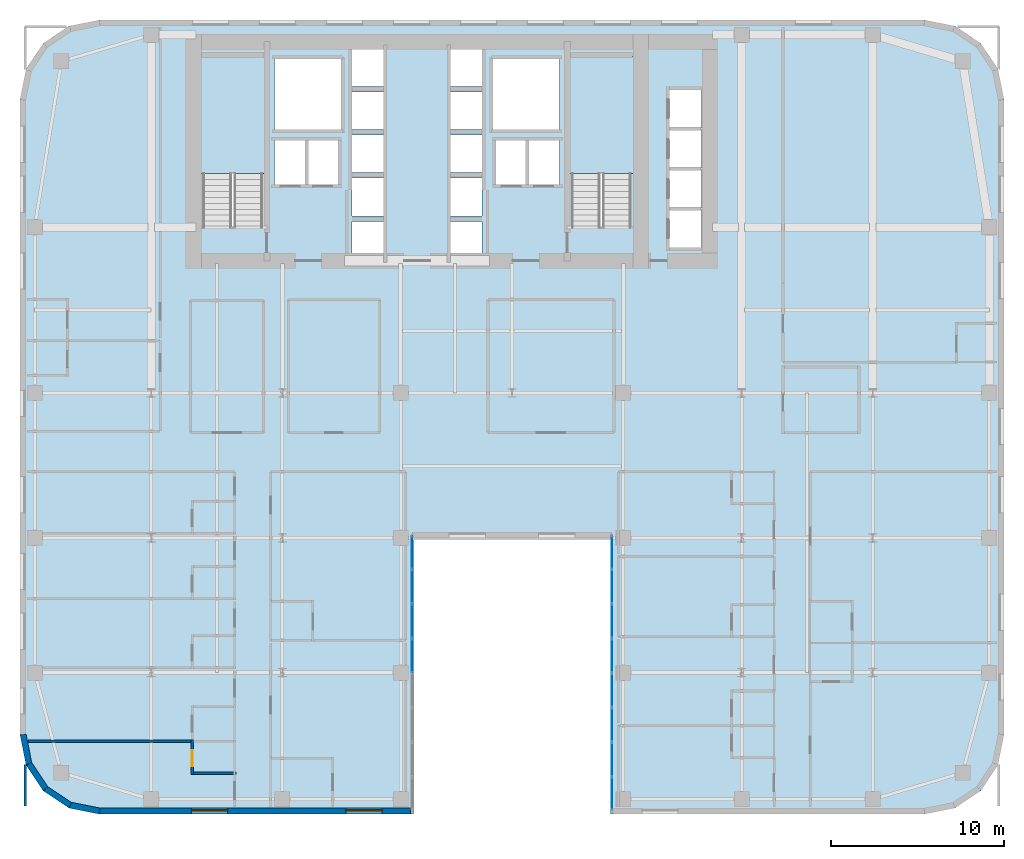
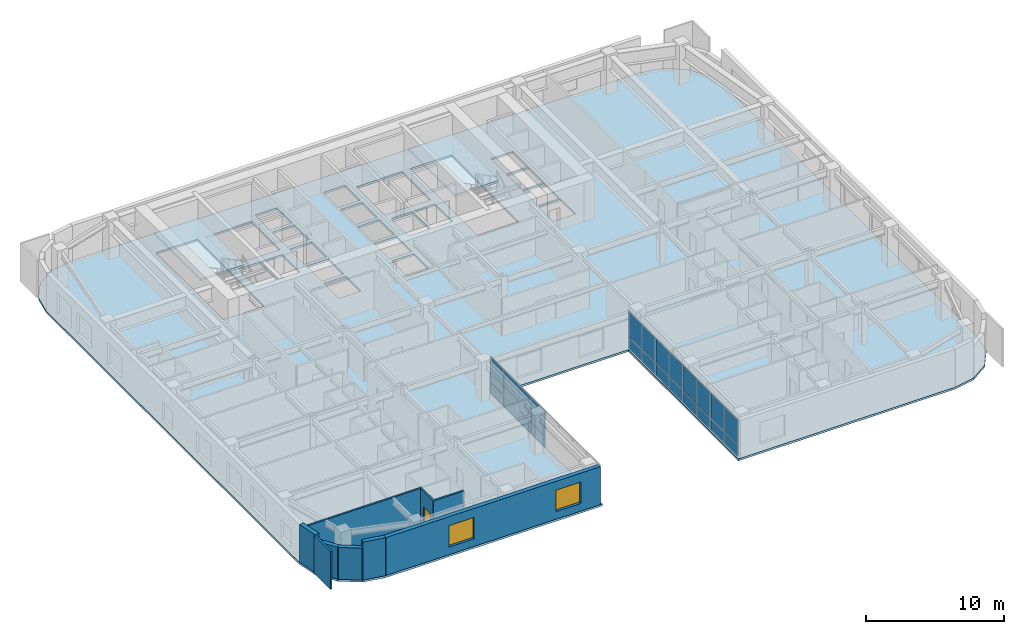
# One storey, part 9 of 16: 24 plates, 9 walls, 3 slabs, 2 windows, 1 door, 3 openings, 4 elements without a shape of their own.
"""IFC4 building model written with IfcOpenShell, lengths in metres."""

from ifc_helpers import new_model, si_unit, direction, frame, frame_2d, origin, origin_2d, place, context, subcontext, project, spatial, polyline, rectangle, outline, extrude, source, transform, mapped, material, layer, layer_set, type_object, type_shapes, element, fill, aggregate, save


model = new_model("IFC4")

# Units and contexts
model_context = context("Model", 3, precision=1e-05, world=origin(), true_north=direction((0.0, 1.0)))
body_context = subcontext(model_context, "Body", "Model", "MODEL_VIEW")
ifc_project = project(units=[si_unit("LENGTHUNIT", "METRE"), si_unit("AREAUNIT", "SQUARE_METRE"), si_unit("VOLUMEUNIT", "CUBIC_METRE"), si_unit("PLANEANGLEUNIT", "RADIAN"), si_unit("MASSUNIT", "GRAM", prefix="KILO")], contexts=[model_context])

# Site, building, storey
site_placement = place(None, origin())
site = spatial("IfcSite", under=ifc_project, at=site_placement, CompositionType="ELEMENT")
building_placement = place(site_placement, origin())
building = spatial("IfcBuilding", under=site, at=building_placement, Name="Tolvann Quenvar Hotel", CompositionType="ELEMENT")
storey_placement = place(building_placement, frame((0.0, 0.0, 85.25)))
storey = spatial("IfcBuildingStorey", under=building, at=storey_placement, Name="L21", CompositionType="ELEMENT", Elevation=85.25)

# Stair, slab
ifc_material_1 = material(Name="Concrete N40 (40 MPa)", Category="concrete")
stair_type = type_object("IfcStairType", Name="STAIR", PredefinedType="HALF_TURN_STAIR", material=ifc_material_1)
stair_1_placement = place(storey_placement, origin())
stair_1 = element("IfcStair", 1, at=stair_1_placement, inside=storey, type_object=stair_type, Name="L21 ST-C1", PredefinedType="HALF_TURN_STAIR")
ifc_layer_1 = layer(ifc_material_1, 0.199951171875)
ifc_layer_set_1 = layer_set([ifc_layer_1], Name="Concrete N40 (40 MPa)")
slab_type_1 = type_object("IfcSlabType", Name="SLAB_LANDING", PredefinedType="LANDING", material=ifc_layer_set_1)
slab_1_placement = place(storey_placement, frame((0.0, 0.0, 1.574951171875)))
slab_1 = element("IfcSlab", 2, at=slab_1_placement, type_object=slab_type_1, Name="ST-C1 landing 1", PredefinedType="LANDING", context=body_context, shape_type="SweptSolid", body=[
    extrude(outline(polyline([(14.179931640625, 37.10498046875), (14.179931640625, 43.8798828125), (10.469970703125, 43.8798828125), (10.469970703125, 37.10498046875), (14.179931640625, 37.10498046875)])), origin(), (0.0, 0.0, 1.0), 0.199951171875),
])
aggregate(stair_1, [slab_1])

stair_2_placement = place(storey_placement, origin())
stair_2 = element("IfcStair", 3, at=stair_2_placement, inside=storey, type_object=stair_type, Name="L21 ST-C2", PredefinedType="HALF_TURN_STAIR")
slab_2_placement = place(storey_placement, frame((0.0, 0.0, 1.574951171875)))
slab_2 = element("IfcSlab", 4, at=slab_2_placement, type_object=slab_type_1, Name="ST-C2 landing 1", PredefinedType="LANDING", context=body_context, shape_type="SweptSolid", body=[
    extrude(outline(polyline([(35.530029296875, 37.10498046875), (35.530029296875, 43.8798828125), (31.820068359375, 43.8798828125), (31.820068359375, 37.10498046875), (35.530029296875, 37.10498046875)])), origin(), (0.0, 0.0, 1.0), 0.199951171875),
])
aggregate(stair_2, [slab_2])

# Slab
ifc_layer_2 = layer(ifc_material_1, 0.179931640625)
ifc_layer_set_2 = layer_set([ifc_layer_2], Name="Concrete N40 (40 MPa)")
slab_type_2 = type_object("IfcSlabType", Name="SLAB_TWR_180", PredefinedType="FLOOR", material=ifc_layer_set_2)
slab_3_placement = place(storey_placement, frame((0.0, 0.0, -0.179931640625)))
element("IfcSlab", 5, at=slab_3_placement, inside=storey, type_object=slab_type_2, Name="Level L21 Structural Floor Slab", PredefinedType="FLOOR", context=body_context, shape_type="SweptSolid", body=[
    extrude(outline(polyline([(0.0, 4.60009765625), (0.35009765625, 2.839599609375), (1.347412109375, 1.347412109375), (2.839599609375, 0.35009765625), (4.60009765625, 0.0), (22.800048828125, 0.0), (22.800048828125, 16.0), (34.199951171875, 16.0), (34.199951171875, 0.0), (52.39990234375, 0.0), (54.160400390625, 0.35009765625), (55.652587890625, 1.347412109375), (56.64990234375, 2.839599609375), (57.0, 4.60009765625), (57.0, 41.39990234375), (56.64990234375, 43.160400390625), (55.652587890625, 44.652587890625), (54.160400390625, 45.64990234375), (52.39990234375, 46.0), (4.60009765625, 46.0), (2.839599609375, 45.64990234375), (1.347412109375, 44.652587890625), (0.35009765625, 43.160400390625), (0.0, 41.39990234375), (0.0, 4.60009765625)]), holes=[polyline([(37.6298828125, 41.949951171875), (39.469970703125, 41.949951171875), (39.469970703125, 39.77001953125), (37.6298828125, 39.77001953125), (37.6298828125, 41.949951171875)]), polyline([(37.6298828125, 39.6298828125), (39.469970703125, 39.6298828125), (39.469970703125, 37.449951171875), (37.6298828125, 37.449951171875), (37.6298828125, 39.6298828125)]), polyline([(37.6298828125, 37.31005859375), (39.469970703125, 37.31005859375), (39.469970703125, 35.1298828125), (37.6298828125, 35.1298828125), (37.6298828125, 37.31005859375)]), polyline([(37.6298828125, 34.989990234375), (39.469970703125, 34.989990234375), (39.469970703125, 32.81005859375), (37.6298828125, 32.81005859375), (37.6298828125, 34.989990234375)]), polyline([(31.949951171875, 43.800048828125), (35.39990234375, 43.800048828125), (35.39990234375, 34.02490234375), (31.949951171875, 34.02490234375), (31.949951171875, 43.800048828125)]), polyline([(31.25, 39.02001953125), (31.25, 36.47998046875), (29.449951171875, 36.47998046875), (29.449951171875, 39.02001953125), (31.25, 39.02001953125)]), polyline([(31.25, 43.75), (31.25, 39.64990234375), (27.39990234375, 39.64990234375), (27.39990234375, 43.75), (31.25, 43.75)]), polyline([(27.574951171875, 39.02001953125), (29.324951171875, 39.02001953125), (29.324951171875, 36.47998046875), (27.574951171875, 36.47998046875), (27.574951171875, 39.02001953125)]), polyline([(26.77001953125, 36.840087890625), (26.77001953125, 34.659912109375), (24.929931640625, 34.659912109375), (24.929931640625, 36.840087890625), (26.77001953125, 36.840087890625)]), polyline([(26.77001953125, 44.340087890625), (26.77001953125, 42.159912109375), (24.929931640625, 42.159912109375), (24.929931640625, 44.340087890625), (26.77001953125, 44.340087890625)]), polyline([(26.77001953125, 41.840087890625), (26.77001953125, 39.659912109375), (24.929931640625, 39.659912109375), (24.929931640625, 41.840087890625), (26.77001953125, 41.840087890625)]), polyline([(26.77001953125, 39.340087890625), (26.77001953125, 37.159912109375), (24.929931640625, 37.159912109375), (24.929931640625, 39.340087890625), (26.77001953125, 39.340087890625)]), polyline([(24.929931640625, 34.340087890625), (26.77001953125, 34.340087890625), (26.77001953125, 32.159912109375), (24.929931640625, 32.159912109375), (24.929931640625, 34.340087890625)]), polyline([(21.070068359375, 44.340087890625), (21.070068359375, 42.159912109375), (19.22998046875, 42.159912109375), (19.22998046875, 44.340087890625), (21.070068359375, 44.340087890625)]), polyline([(19.22998046875, 41.840087890625), (21.070068359375, 41.840087890625), (21.070068359375, 39.659912109375), (19.22998046875, 39.659912109375), (19.22998046875, 41.840087890625)]), polyline([(21.070068359375, 39.340087890625), (21.070068359375, 37.159912109375), (19.22998046875, 37.159912109375), (19.22998046875, 39.340087890625), (21.070068359375, 39.340087890625)]), polyline([(19.22998046875, 36.840087890625), (21.070068359375, 36.840087890625), (21.070068359375, 34.659912109375), (19.22998046875, 34.659912109375), (19.22998046875, 36.840087890625)]), polyline([(19.22998046875, 34.340087890625), (21.070068359375, 34.340087890625), (21.070068359375, 32.159912109375), (19.22998046875, 32.159912109375), (19.22998046875, 34.340087890625)]), polyline([(18.60009765625, 43.75), (18.60009765625, 39.64990234375), (14.75, 39.64990234375), (14.75, 43.75), (18.60009765625, 43.75)]), polyline([(16.675048828125, 39.02001953125), (18.425048828125, 39.02001953125), (18.425048828125, 36.47998046875), (16.675048828125, 36.47998046875), (16.675048828125, 39.02001953125)]), polyline([(16.550048828125, 39.02001953125), (16.550048828125, 36.47998046875), (14.75, 36.47998046875), (14.75, 39.02001953125), (16.550048828125, 39.02001953125)]), polyline([(10.60009765625, 43.800048828125), (14.050048828125, 43.800048828125), (14.050048828125, 34.02490234375), (10.60009765625, 34.02490234375), (10.60009765625, 43.800048828125)])]), origin(), (0.0, 0.0, 1.0), 0.179931640625),
])

# Curtain wall, plate
ifc_material_2 = material(Name="Thermally broken anodised architectural aluminium 6063-T6 and laminated low-E glass", Category="aluminium")
ifc_layer_3 = layer(ifc_material_2, 0.179931640625)
ifc_layer_set_3 = layer_set([ifc_layer_3], Name="Thermally broken anodised architectural aluminium 6063-T6 and laminated low-E glass")
curtain_wall_type = type_object("IfcCurtainWallType", Name="CW_SYS_SLOT_03", PredefinedType="USERDEFINED", material=ifc_layer_set_3)
curtain_wall_1_placement = place(storey_placement, origin())
curtain_wall_1 = element("IfcCurtainWall", 6, at=curtain_wall_1_placement, inside=storey, type_object=curtain_wall_type, Name="Curtain Wall CW-SLOT-03 (CWR-L21-E05)", ObjectType="UNITISED CURTAIN WALL", PredefinedType="USERDEFINED")
ifc_material_3 = material(Name="Low-iron laminated double glazing with solar-control coating", Category="glass")
ifc_layer_4 = layer(ifc_material_3, 0.028076171875)
ifc_layer_set_4 = layer_set([ifc_layer_4], Name="Low-iron laminated double glazing with solar-control coating")
plate_type = type_object("IfcPlateType", Name="CW_PAN_VISION_28", PredefinedType="CURTAIN_PANEL", material=ifc_layer_set_4)
shared_shape_1 = source(origin(), body_context, "Body", "SweptSolid", [
    extrude(rectangle(XDim=1.89501953125, YDim=0.028076171875, at=origin_2d()), origin(), (0.0, 0.0, 1.0), 0.9599609375),
])
plate_1_placement = place(storey_placement, frame((22.7099609375, 15.157470703125, 0.06005859375), z_axis=(0.0, 0.0, 1.0), x_axis=(0.0, 1.0, 0.0)))
plate_1 = element("IfcPlate", 7, at=plate_1_placement, type_object=plate_type, Name="CW-SLOT-03 panel 8.1", PredefinedType="CURTAIN_PANEL", context=body_context, shape_type="MappedRepresentation", body=[
    mapped(shared_shape_1, transform((0.0, 0.0, 0.0), x_axis=(1.0, 0.0, 0.0), y_axis=(0.0, 1.0, 0.0), z_axis=(0.0, 0.0, 1.0), scale=1.0)),
])

# Curtain wall, plates
curtain_wall_2_placement = place(storey_placement, origin())
curtain_wall_2 = element("IfcCurtainWall", 8, at=curtain_wall_2_placement, inside=storey, type_object=curtain_wall_type, Name="Curtain Wall CW-SLOT-03 (CWR-L21-E07)", ObjectType="UNITISED CURTAIN WALL", PredefinedType="USERDEFINED")
plate_2_placement = place(storey_placement, frame((34.2900390625, 15.157470703125, 0.06005859375), z_axis=(0.0, 0.0, 1.0), x_axis=(0.0, -1.0, 0.0)))
plate_2 = element("IfcPlate", 9, at=plate_2_placement, type_object=plate_type, Name="CW-SLOT-03 panel 1.1", PredefinedType="CURTAIN_PANEL", context=body_context, shape_type="MappedRepresentation", body=[
    mapped(shared_shape_1, transform((0.0, 0.0, 0.0), x_axis=(1.0, 0.0, 0.0), y_axis=(0.0, 1.0, 0.0), z_axis=(0.0, 0.0, 1.0), scale=1.0)),
])
plate_3_placement = place(storey_placement, frame((34.2900390625, 1.1923828125, 0.06005859375), z_axis=(0.0, 0.0, 1.0), x_axis=(0.0, -1.0, 0.0)))
plate_3 = element("IfcPlate", 10, at=plate_3_placement, type_object=plate_type, Name="CW-SLOT-03 panel 8.1", PredefinedType="CURTAIN_PANEL", context=body_context, shape_type="MappedRepresentation", body=[
    mapped(shared_shape_1, transform((0.0, 0.0, 0.0), x_axis=(1.0, 0.0, 0.0), y_axis=(0.0, 1.0, 0.0), z_axis=(0.0, 0.0, 1.0), scale=1.0)),
])

# Plate
shared_shape_2 = source(origin(), body_context, "Body", "SweptSolid", [
    extrude(rectangle(XDim=1.89501953125, YDim=0.028076171875, at=origin_2d()), origin(), (0.0, 0.0, 1.0), 2.22998046875),
])
plate_4_placement = place(storey_placement, frame((22.7099609375, 15.157470703125, 1.080078125), z_axis=(0.0, 0.0, 1.0), x_axis=(0.0, 1.0, 0.0)))
plate_4 = element("IfcPlate", 11, at=plate_4_placement, type_object=plate_type, Name="CW-SLOT-03 panel 8.2", PredefinedType="CURTAIN_PANEL", context=body_context, shape_type="MappedRepresentation", body=[
    mapped(shared_shape_2, transform((0.0, 0.0, 0.0), x_axis=(1.0, 0.0, 0.0), y_axis=(0.0, 1.0, 0.0), z_axis=(0.0, 0.0, 1.0), scale=1.0)),
])

plate_5_placement = place(storey_placement, frame((34.2900390625, 15.157470703125, 1.080078125), z_axis=(0.0, 0.0, 1.0), x_axis=(0.0, -1.0, 0.0)))
plate_5 = element("IfcPlate", 12, at=plate_5_placement, type_object=plate_type, Name="CW-SLOT-03 panel 1.2", PredefinedType="CURTAIN_PANEL", context=body_context, shape_type="MappedRepresentation", body=[
    mapped(shared_shape_2, transform((0.0, 0.0, 0.0), x_axis=(1.0, 0.0, 0.0), y_axis=(0.0, 1.0, 0.0), z_axis=(0.0, 0.0, 1.0), scale=1.0)),
])

plate_6_placement = place(storey_placement, frame((34.2900390625, 1.1923828125, 1.080078125), z_axis=(0.0, 0.0, 1.0), x_axis=(0.0, -1.0, 0.0)))
plate_6 = element("IfcPlate", 13, at=plate_6_placement, type_object=plate_type, Name="CW-SLOT-03 panel 8.2", PredefinedType="CURTAIN_PANEL", context=body_context, shape_type="MappedRepresentation", body=[
    mapped(shared_shape_2, transform((0.0, 0.0, 0.0), x_axis=(1.0, 0.0, 0.0), y_axis=(0.0, 1.0, 0.0), z_axis=(0.0, 0.0, 1.0), scale=1.0)),
])

shared_shape_3 = source(origin(), body_context, "Body", "SweptSolid", [
    extrude(rectangle(XDim=1.929931640625, YDim=0.028076171875, at=origin_2d()), origin(), (0.0, 0.0, 1.0), 0.9599609375),
])
plate_7_placement = place(storey_placement, frame((22.7099609375, 9.175048828125, 0.06005859375), z_axis=(0.0, 0.0, 1.0), x_axis=(0.0, 1.0, 0.0)))
plate_7 = element("IfcPlate", 14, at=plate_7_placement, type_object=plate_type, Name="CW-SLOT-03 panel 5.1", PredefinedType="CURTAIN_PANEL", context=body_context, shape_type="MappedRepresentation", body=[
    mapped(shared_shape_3, transform((0.0, 0.0, 0.0), x_axis=(1.0, 0.0, 0.0), y_axis=(0.0, 1.0, 0.0), z_axis=(0.0, 0.0, 1.0), scale=1.0)),
])

plate_8_placement = place(storey_placement, frame((22.7099609375, 11.175048828125, 0.06005859375), z_axis=(0.0, 0.0, 1.0), x_axis=(0.0, 1.0, 0.0)))
plate_8 = element("IfcPlate", 15, at=plate_8_placement, type_object=plate_type, Name="CW-SLOT-03 panel 6.1", PredefinedType="CURTAIN_PANEL", context=body_context, shape_type="MappedRepresentation", body=[
    mapped(shared_shape_3, transform((0.0, 0.0, 0.0), x_axis=(1.0, 0.0, 0.0), y_axis=(0.0, 1.0, 0.0), z_axis=(0.0, 0.0, 1.0), scale=1.0)),
])

plate_9_placement = place(storey_placement, frame((22.7099609375, 13.175048828125, 0.06005859375), z_axis=(0.0, 0.0, 1.0), x_axis=(0.0, 1.0, 0.0)))
plate_9 = element("IfcPlate", 16, at=plate_9_placement, type_object=plate_type, Name="CW-SLOT-03 panel 7.1", PredefinedType="CURTAIN_PANEL", context=body_context, shape_type="MappedRepresentation", body=[
    mapped(shared_shape_3, transform((0.0, 0.0, 0.0), x_axis=(1.0, 0.0, 0.0), y_axis=(0.0, 1.0, 0.0), z_axis=(0.0, 0.0, 1.0), scale=1.0)),
])

plate_10_placement = place(storey_placement, frame((34.2900390625, 13.175048828125, 0.06005859375), z_axis=(0.0, 0.0, 1.0), x_axis=(0.0, -1.0, 0.0)))
plate_10 = element("IfcPlate", 17, at=plate_10_placement, type_object=plate_type, Name="CW-SLOT-03 panel 2.1", PredefinedType="CURTAIN_PANEL", context=body_context, shape_type="MappedRepresentation", body=[
    mapped(shared_shape_3, transform((0.0, 0.0, 0.0), x_axis=(1.0, 0.0, 0.0), y_axis=(0.0, 1.0, 0.0), z_axis=(0.0, 0.0, 1.0), scale=1.0)),
])

plate_11_placement = place(storey_placement, frame((34.2900390625, 11.175048828125, 0.06005859375), z_axis=(0.0, 0.0, 1.0), x_axis=(0.0, -1.0, 0.0)))
plate_11 = element("IfcPlate", 18, at=plate_11_placement, type_object=plate_type, Name="CW-SLOT-03 panel 3.1", PredefinedType="CURTAIN_PANEL", context=body_context, shape_type="MappedRepresentation", body=[
    mapped(shared_shape_3, transform((0.0, 0.0, 0.0), x_axis=(1.0, 0.0, 0.0), y_axis=(0.0, 1.0, 0.0), z_axis=(0.0, 0.0, 1.0), scale=1.0)),
])

plate_12_placement = place(storey_placement, frame((34.2900390625, 9.175048828125, 0.06005859375), z_axis=(0.0, 0.0, 1.0), x_axis=(0.0, -1.0, 0.0)))
plate_12 = element("IfcPlate", 19, at=plate_12_placement, type_object=plate_type, Name="CW-SLOT-03 panel 4.1", PredefinedType="CURTAIN_PANEL", context=body_context, shape_type="MappedRepresentation", body=[
    mapped(shared_shape_3, transform((0.0, 0.0, 0.0), x_axis=(1.0, 0.0, 0.0), y_axis=(0.0, 1.0, 0.0), z_axis=(0.0, 0.0, 1.0), scale=1.0)),
])

plate_13_placement = place(storey_placement, frame((34.2900390625, 7.175048828125, 0.06005859375), z_axis=(0.0, 0.0, 1.0), x_axis=(0.0, -1.0, 0.0)))
plate_13 = element("IfcPlate", 20, at=plate_13_placement, type_object=plate_type, Name="CW-SLOT-03 panel 5.1", PredefinedType="CURTAIN_PANEL", context=body_context, shape_type="MappedRepresentation", body=[
    mapped(shared_shape_3, transform((0.0, 0.0, 0.0), x_axis=(1.0, 0.0, 0.0), y_axis=(0.0, 1.0, 0.0), z_axis=(0.0, 0.0, 1.0), scale=1.0)),
])

plate_14_placement = place(storey_placement, frame((34.2900390625, 5.175048828125, 0.06005859375), z_axis=(0.0, 0.0, 1.0), x_axis=(0.0, -1.0, 0.0)))
plate_14 = element("IfcPlate", 21, at=plate_14_placement, type_object=plate_type, Name="CW-SLOT-03 panel 6.1", PredefinedType="CURTAIN_PANEL", context=body_context, shape_type="MappedRepresentation", body=[
    mapped(shared_shape_3, transform((0.0, 0.0, 0.0), x_axis=(1.0, 0.0, 0.0), y_axis=(0.0, 1.0, 0.0), z_axis=(0.0, 0.0, 1.0), scale=1.0)),
])

plate_15_placement = place(storey_placement, frame((34.2900390625, 3.175048828125, 0.06005859375), z_axis=(0.0, 0.0, 1.0), x_axis=(0.0, -1.0, 0.0)))
plate_15 = element("IfcPlate", 22, at=plate_15_placement, type_object=plate_type, Name="CW-SLOT-03 panel 7.1", PredefinedType="CURTAIN_PANEL", context=body_context, shape_type="MappedRepresentation", body=[
    mapped(shared_shape_3, transform((0.0, 0.0, 0.0), x_axis=(1.0, 0.0, 0.0), y_axis=(0.0, 1.0, 0.0), z_axis=(0.0, 0.0, 1.0), scale=1.0)),
])

shared_shape_4 = source(origin(), body_context, "Body", "SweptSolid", [
    extrude(rectangle(XDim=1.929931640625, YDim=0.028076171875, at=origin_2d()), origin(), (0.0, 0.0, 1.0), 2.22998046875),
])
type_shapes(plate_type, [shared_shape_1, shared_shape_2, shared_shape_3, shared_shape_4])
plate_16_placement = place(storey_placement, frame((22.7099609375, 9.175048828125, 1.080078125), z_axis=(0.0, 0.0, 1.0), x_axis=(0.0, 1.0, 0.0)))
plate_16 = element("IfcPlate", 23, at=plate_16_placement, type_object=plate_type, Name="CW-SLOT-03 panel 5.2", PredefinedType="CURTAIN_PANEL", context=body_context, shape_type="MappedRepresentation", body=[
    mapped(shared_shape_4, transform((0.0, 0.0, 0.0), x_axis=(1.0, 0.0, 0.0), y_axis=(0.0, 1.0, 0.0), z_axis=(0.0, 0.0, 1.0), scale=1.0)),
])

plate_17_placement = place(storey_placement, frame((22.7099609375, 11.175048828125, 1.080078125), z_axis=(0.0, 0.0, 1.0), x_axis=(0.0, 1.0, 0.0)))
plate_17 = element("IfcPlate", 24, at=plate_17_placement, type_object=plate_type, Name="CW-SLOT-03 panel 6.2", PredefinedType="CURTAIN_PANEL", context=body_context, shape_type="MappedRepresentation", body=[
    mapped(shared_shape_4, transform((0.0, 0.0, 0.0), x_axis=(1.0, 0.0, 0.0), y_axis=(0.0, 1.0, 0.0), z_axis=(0.0, 0.0, 1.0), scale=1.0)),
])

plate_18_placement = place(storey_placement, frame((22.7099609375, 13.175048828125, 1.080078125), z_axis=(0.0, 0.0, 1.0), x_axis=(0.0, 1.0, 0.0)))
plate_18 = element("IfcPlate", 25, at=plate_18_placement, type_object=plate_type, Name="CW-SLOT-03 panel 7.2", PredefinedType="CURTAIN_PANEL", context=body_context, shape_type="MappedRepresentation", body=[
    mapped(shared_shape_4, transform((0.0, 0.0, 0.0), x_axis=(1.0, 0.0, 0.0), y_axis=(0.0, 1.0, 0.0), z_axis=(0.0, 0.0, 1.0), scale=1.0)),
])

aggregate(curtain_wall_1, [plate_7, plate_16, plate_8, plate_17, plate_9, plate_18, plate_1, plate_4])

plate_19_placement = place(storey_placement, frame((34.2900390625, 13.175048828125, 1.080078125), z_axis=(0.0, 0.0, 1.0), x_axis=(0.0, -1.0, 0.0)))
plate_19 = element("IfcPlate", 26, at=plate_19_placement, type_object=plate_type, Name="CW-SLOT-03 panel 2.2", PredefinedType="CURTAIN_PANEL", context=body_context, shape_type="MappedRepresentation", body=[
    mapped(shared_shape_4, transform((0.0, 0.0, 0.0), x_axis=(1.0, 0.0, 0.0), y_axis=(0.0, 1.0, 0.0), z_axis=(0.0, 0.0, 1.0), scale=1.0)),
])

plate_20_placement = place(storey_placement, frame((34.2900390625, 11.175048828125, 1.080078125), z_axis=(0.0, 0.0, 1.0), x_axis=(0.0, -1.0, 0.0)))
plate_20 = element("IfcPlate", 27, at=plate_20_placement, type_object=plate_type, Name="CW-SLOT-03 panel 3.2", PredefinedType="CURTAIN_PANEL", context=body_context, shape_type="MappedRepresentation", body=[
    mapped(shared_shape_4, transform((0.0, 0.0, 0.0), x_axis=(1.0, 0.0, 0.0), y_axis=(0.0, 1.0, 0.0), z_axis=(0.0, 0.0, 1.0), scale=1.0)),
])

plate_21_placement = place(storey_placement, frame((34.2900390625, 9.175048828125, 1.080078125), z_axis=(0.0, 0.0, 1.0), x_axis=(0.0, -1.0, 0.0)))
plate_21 = element("IfcPlate", 28, at=plate_21_placement, type_object=plate_type, Name="CW-SLOT-03 panel 4.2", PredefinedType="CURTAIN_PANEL", context=body_context, shape_type="MappedRepresentation", body=[
    mapped(shared_shape_4, transform((0.0, 0.0, 0.0), x_axis=(1.0, 0.0, 0.0), y_axis=(0.0, 1.0, 0.0), z_axis=(0.0, 0.0, 1.0), scale=1.0)),
])

plate_22_placement = place(storey_placement, frame((34.2900390625, 7.175048828125, 1.080078125), z_axis=(0.0, 0.0, 1.0), x_axis=(0.0, -1.0, 0.0)))
plate_22 = element("IfcPlate", 29, at=plate_22_placement, type_object=plate_type, Name="CW-SLOT-03 panel 5.2", PredefinedType="CURTAIN_PANEL", context=body_context, shape_type="MappedRepresentation", body=[
    mapped(shared_shape_4, transform((0.0, 0.0, 0.0), x_axis=(1.0, 0.0, 0.0), y_axis=(0.0, 1.0, 0.0), z_axis=(0.0, 0.0, 1.0), scale=1.0)),
])

plate_23_placement = place(storey_placement, frame((34.2900390625, 5.175048828125, 1.080078125), z_axis=(0.0, 0.0, 1.0), x_axis=(0.0, -1.0, 0.0)))
plate_23 = element("IfcPlate", 30, at=plate_23_placement, type_object=plate_type, Name="CW-SLOT-03 panel 6.2", PredefinedType="CURTAIN_PANEL", context=body_context, shape_type="MappedRepresentation", body=[
    mapped(shared_shape_4, transform((0.0, 0.0, 0.0), x_axis=(1.0, 0.0, 0.0), y_axis=(0.0, 1.0, 0.0), z_axis=(0.0, 0.0, 1.0), scale=1.0)),
])

plate_24_placement = place(storey_placement, frame((34.2900390625, 3.175048828125, 1.080078125), z_axis=(0.0, 0.0, 1.0), x_axis=(0.0, -1.0, 0.0)))
plate_24 = element("IfcPlate", 31, at=plate_24_placement, type_object=plate_type, Name="CW-SLOT-03 panel 7.2", PredefinedType="CURTAIN_PANEL", context=body_context, shape_type="MappedRepresentation", body=[
    mapped(shared_shape_4, transform((0.0, 0.0, 0.0), x_axis=(1.0, 0.0, 0.0), y_axis=(0.0, 1.0, 0.0), z_axis=(0.0, 0.0, 1.0), scale=1.0)),
])

aggregate(curtain_wall_2, [plate_2, plate_5, plate_10, plate_19, plate_11, plate_20, plate_12, plate_21, plate_13, plate_22, plate_14, plate_23, plate_15, plate_24, plate_3, plate_6])

# Walls
ifc_material_4 = material(Name="Kiln-fired red and buff architectural clay brickwork and terracotta masonry", Category="masonry")
ifc_layer_5 = layer(ifc_material_4, 0.35009765625)
ifc_layer_set_5 = layer_set([ifc_layer_5], Name="Kiln-fired red and buff architectural clay brickwork and terracotta masonry")
wall_type_1 = type_object("IfcWallType", Name="WALL_EXT_BRICK_350", PredefinedType="SOLIDWALL", material=ifc_layer_set_5)
for number, where, z_axis, x_axis, name in (
    (32, (0.514892578125, 2.907958984375, 0.0), (0.0, 0.0, 1.0), (0.55554893791, -0.831483840845, 0.0), "Exterior Chicago Brick Wall L21-E01"),
    (33, (1.473388671875, 1.473388671875, 0.0), (0.0, 0.0, 1.0), (0.831483840845, -0.55554893791, 0.0), "Exterior Chicago Brick Wall L21-E02"),
):
    element("IfcWall", number, at=place(storey_placement, frame(where, z_axis=z_axis, x_axis=x_axis)), inside=storey, type_object=wall_type_1, Name=name, PredefinedType="SOLIDWALL", context=body_context, shape_type="SweptSolid", body=[
        extrude(rectangle(XDim=1.725341796875, YDim=0.35009765625, at=frame_2d((0.86279296875, 0.0))), origin(), (0.0, 0.0, 1.0), 2.83203125),
    ])
wall_1_placement = place(storey_placement, frame((2.907958984375, 0.514892578125, 0.0), z_axis=(0.0, 0.0, 1.0), x_axis=(0.980800971659, -0.195011420161, 0.0)))
element("IfcWall", 34, at=wall_1_placement, inside=storey, type_object=wall_type_1, Name="Exterior Chicago Brick Wall L21-E03", PredefinedType="SOLIDWALL", context=body_context, shape_type="SweptSolid", body=[
    extrude(rectangle(XDim=1.74267578125, YDim=0.35009765625, at=frame_2d((0.871337890625, 0.0))), origin(), (0.0, 0.0, 1.0), 3.3701171875),
])

# Wall, openings, windows
wall_2_placement = place(storey_placement, frame((4.6171875, 0.175048828125, 0.0), z_axis=(0.0, 0.0, 1.0), x_axis=(1.0, 0.0, 0.0)))
wall_2 = element("IfcWall", 35, at=wall_2_placement, inside=storey, type_object=wall_type_1, Name="Exterior Chicago Brick Wall L21-E04", PredefinedType="SOLIDWALL", context=body_context, shape_type="SweptSolid", body=[
    extrude(rectangle(XDim=18.0078125, YDim=0.35009765625, at=frame_2d((9.00390625, 0.0))), origin(), (0.0, 0.0, 1.0), 3.3701171875),
])
opening_1_placement = place(wall_2_placement, frame((5.302978515625, 0.0, 0.679931640625)))
opening_1 = element("IfcOpeningElement", 36, at=opening_1_placement, cuts=wall_2, Name="Opening W-02", PredefinedType="OPENING", context=body_context, shape_type="SweptSolid", body=[
    extrude(rectangle(XDim=2.10009765625, YDim=1.89990234375, at=frame_2d((1.050048828125, 0.949951171875))), frame((0.0, 0.18505859375, 0.0), z_axis=(0.0, -1.0, 0.0), x_axis=(1.0, 0.0, 0.0)), (0.0, 0.0, 1.0), 0.3701171875),
])
opening_2_placement = place(wall_2_placement, frame((14.257080078125, 0.0, 0.679931640625)))
opening_2 = element("IfcOpeningElement", 37, at=opening_2_placement, cuts=wall_2, Name="Opening W-02", PredefinedType="OPENING", context=body_context, shape_type="SweptSolid", body=[
    extrude(rectangle(XDim=2.10009765625, YDim=1.89990234375, at=frame_2d((1.050048828125, 0.949951171875))), frame((0.0, 0.18505859375, 0.0), z_axis=(0.0, -1.0, 0.0), x_axis=(1.0, 0.0, 0.0)), (0.0, 0.0, 1.0), 0.3701171875),
])
ifc_material_5 = material(Name="Thermally broken bronze-anodised aluminium frame with double low-E glazing", Category="aluminium")
window_type = type_object("IfcWindowType", Name="WIN_CHI_2100x2050", PartitioningType="TRIPLE_PANEL_HORIZONTAL", PredefinedType="WINDOW", material=ifc_material_5)
shared_shape_5 = source(origin(), body_context, "Body", "SweptSolid", [
    extrude(rectangle(XDim=2.10009765625, YDim=1.89990234375, at=frame_2d((1.050048828125, 0.949951171875))), frame((0.0, 0.090087890625, 0.0), z_axis=(0.0, -1.0, 0.0), x_axis=(1.0, 0.0, 0.0)), (0.0, 0.0, 1.0), 0.06005859375),
])
type_shapes(window_type, [shared_shape_5])
window_1_placement = place(opening_1_placement, origin())
window_1 = element("IfcWindow", 38, at=window_1_placement, inside=storey, type_object=window_type, Name="Chicago Window W-02 (EW-L21-E04-W01)", OverallHeight=1.89990234375, OverallWidth=2.10009765625, PartitioningType="TRIPLE_PANEL_HORIZONTAL", PredefinedType="WINDOW", context=body_context, shape_type="MappedRepresentation", body=[
    mapped(shared_shape_5, transform((0.0, 0.0, 0.0), x_axis=(1.0, 0.0, 0.0), y_axis=(0.0, 1.0, 0.0), z_axis=(0.0, 0.0, 1.0), scale=1.0)),
])
fill(opening_1, window_1)
window_2_placement = place(opening_2_placement, origin())
window_2 = element("IfcWindow", 39, at=window_2_placement, inside=storey, type_object=window_type, Name="Chicago Window W-02 (EW-L21-E04-W02)", OverallHeight=1.89990234375, OverallWidth=2.10009765625, PartitioningType="TRIPLE_PANEL_HORIZONTAL", PredefinedType="WINDOW", context=body_context, shape_type="MappedRepresentation", body=[
    mapped(shared_shape_5, transform((0.0, 0.0, 0.0), x_axis=(1.0, 0.0, 0.0), y_axis=(0.0, 1.0, 0.0), z_axis=(0.0, 0.0, 1.0), scale=1.0)),
])
fill(opening_2, window_2)

# Wall
wall_3_placement = place(storey_placement, frame((0.175048828125, 4.6171875, 0.0), z_axis=(0.0, 0.0, 1.0), x_axis=(0.195011420161, -0.980800971659, 0.0)))
element("IfcWall", 40, at=wall_3_placement, inside=storey, type_object=wall_type_1, Name="Exterior Chicago Brick Wall L21-E24", PredefinedType="SOLIDWALL", context=body_context, shape_type="SweptSolid", body=[
    extrude(rectangle(XDim=1.74267578125, YDim=0.35009765625, at=frame_2d((0.871337890625, 0.0))), origin(), (0.0, 0.0, 1.0), 3.3701171875),
])

# Wall, opening, door
ifc_material_6 = material(Name="Acoustic twin-stud fire-rated gypsum plasterboard partition")
ifc_layer_6 = layer(ifc_material_6, 0.14990234375)
ifc_layer_set_6 = layer_set([ifc_layer_6], Name="Acoustic twin-stud fire-rated gypsum plasterboard partition")
wall_type_2 = type_object("IfcWallType", Name="WALL_PART_SUITE_150", PredefinedType="PARTITIONING", material=ifc_layer_set_6)
wall_4_placement = place(storey_placement, frame((9.97998046875, 2.300048828125, 0.0), z_axis=(0.0, 0.0, 1.0), x_axis=(0.0, 1.0, 0.0)))
wall_4 = element("IfcWall", 41, at=wall_4_placement, inside=storey, type_object=wall_type_2, Name="Interior Partition PT-SPC-L21-ENS-WO01-ENT", PredefinedType="PARTITIONING", context=body_context, shape_type="SweptSolid", body=[
    extrude(rectangle(XDim=1.989990234375, YDim=0.14990234375, at=frame_2d((0.9951171875, 0.0))), origin(), (0.0, 0.0, 1.0), 3.3701171875),
])
opening_3_placement = place(wall_4_placement, frame((0.465087890625, 0.0, 0.0)))
opening_3 = element("IfcOpeningElement", 42, at=opening_3_placement, cuts=wall_4, Name="Opening WD-01", PredefinedType="OPENING", context=body_context, shape_type="SweptSolid", body=[
    extrude(rectangle(XDim=0.919921875, YDim=2.010009765625, at=frame_2d((0.4599609375, 1.0048828125))), frame((0.0, 0.0849609375, 0.0), z_axis=(0.0, -1.0, 0.0), x_axis=(1.0, 0.0, 0.0)), (0.0, 0.0, 1.0), 0.169921875),
])
ifc_material_7 = material(Name="Solid-core American oak acoustic fire door leaf in steel frame", Category="steel")
door_type = type_object("IfcDoorType", Name="DOOR_WC_920", OperationType="NOTDEFINED", PredefinedType="DOOR", material=ifc_material_7)
shared_shape_6 = source(origin(), body_context, "Body", "SweptSolid", [
    extrude(rectangle(XDim=0.919921875, YDim=2.010009765625, at=frame_2d((0.4599609375, 1.0048828125))), frame((0.0, 0.02490234375, 0.0), z_axis=(0.0, -1.0, 0.0), x_axis=(1.0, 0.0, 0.0)), (0.0, 0.0, 1.0), 0.050048828125),
])
type_shapes(door_type, [shared_shape_6])
door_placement = place(opening_3_placement, origin())
door = element("IfcDoor", 43, at=door_placement, inside=storey, type_object=door_type, Name="Interior Door DOOR-SPC-L21-ENS-WO01", OperationType="SINGLE_SWING_RIGHT", OverallHeight=2.010009765625, OverallWidth=0.919921875, PredefinedType="DOOR", context=body_context, shape_type="MappedRepresentation", body=[
    mapped(shared_shape_6, transform((0.0, 0.0, 0.0), x_axis=(1.0, 0.0, 0.0), y_axis=(0.0, 1.0, 0.0), z_axis=(0.0, 0.0, 1.0), scale=1.0)),
])
fill(opening_3, door)

# Walls
wall_5_placement = place(storey_placement, frame((9.909912109375, 2.3701171875, 0.0), z_axis=(0.0, 0.0, 1.0), x_axis=(1.0, 0.0, 0.0)))
element("IfcWall", 44, at=wall_5_placement, inside=storey, type_object=wall_type_2, Name="Interior Partition PT-SPC-L21-ENS-WO01-S", PredefinedType="PARTITIONING", context=body_context, shape_type="SweptSolid", body=[
    extrude(rectangle(XDim=2.590087890625, YDim=0.14990234375, at=frame_2d((1.294921875, 0.0))), origin(), (0.0, 0.0, 1.0), 3.3701171875),
])
wall_6_placement = place(storey_placement, frame((0.45703125, 4.219970703125, 0.0), z_axis=(0.0, 0.0, 1.0), x_axis=(1.0, 0.0, 0.0)))
element("IfcWall", 45, at=wall_6_placement, inside=storey, type_object=wall_type_2, Name="Interior Partition PT-SPC-L21-RM-WO01-E5", PredefinedType="PARTITIONING", context=body_context, shape_type="SweptSolid", body=[
    extrude(rectangle(XDim=9.44287109375, YDim=0.14990234375, at=frame_2d((4.721435546875, 0.0))), origin(), (0.0, 0.0, 1.0), 3.3701171875),
])
wall_7_placement = place(storey_placement, frame((0.300048828125, 0.47998046875, 0.0), z_axis=(0.0, 0.0, 1.0), x_axis=(0.0, 1.0, 0.0)))
element("IfcWall", 46, at=wall_7_placement, inside=storey, type_object=wall_type_2, Name="Interior Partition PT-SPC-L21-RM-WO01-E6", PredefinedType="PARTITIONING", context=body_context, shape_type="SweptSolid", body=[
    extrude(rectangle(XDim=2.385009765625, YDim=0.14990234375, at=frame_2d((1.1923828125, 0.0))), origin(), (0.0, 0.0, 1.0), 3.3701171875),
])

save(model, "model.ifc")
